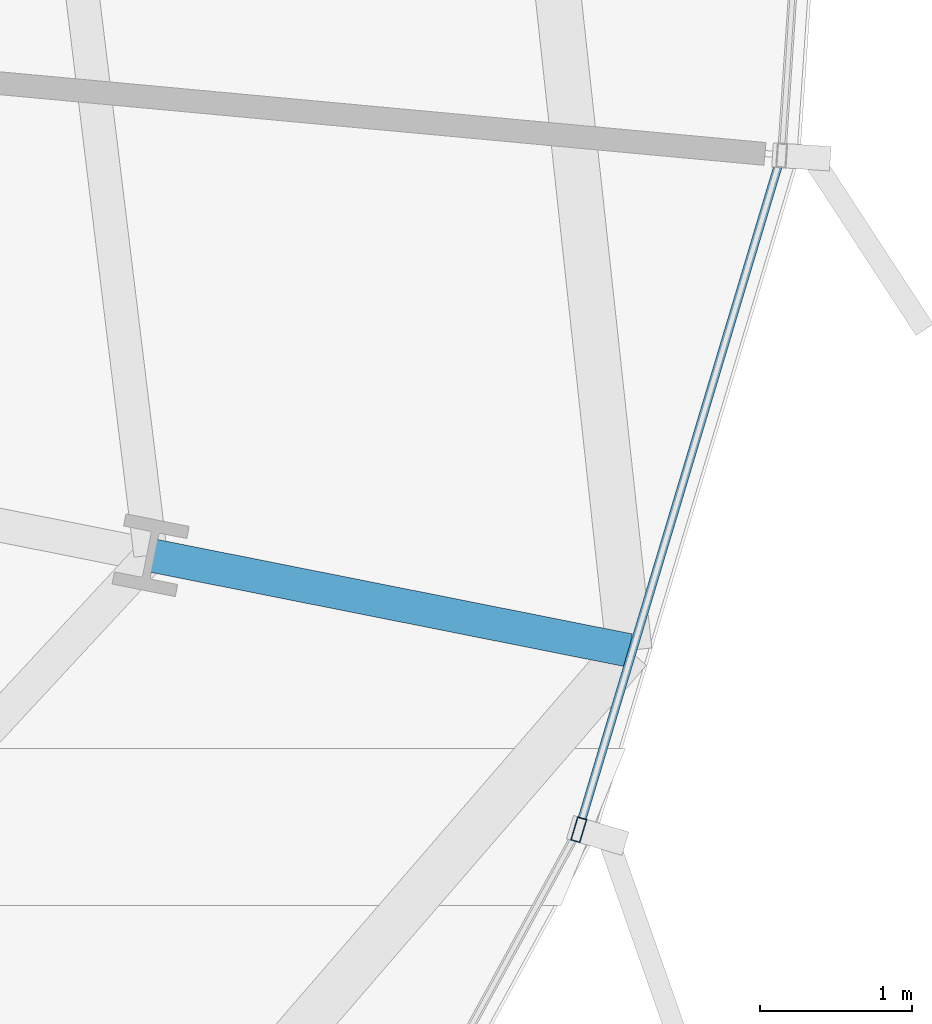
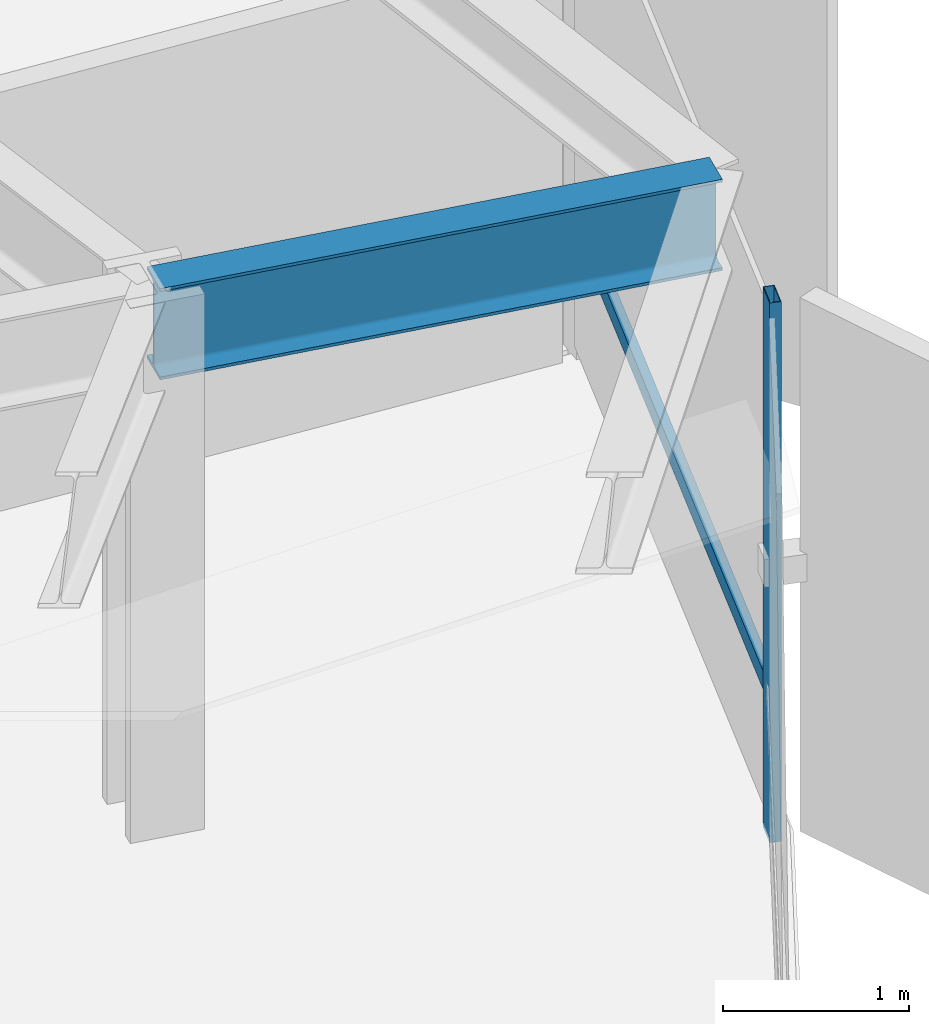
# One storey, part 16 of 39: 2 members, 1 beam, 1 element without a shape of its own.
"""IFC4 building model written with IfcOpenShell, lengths in metres."""

from ifc_helpers import new_model, si_unit, direction, frame, origin, origin_2d, place, context, subcontext, project, spatial, hollow_rectangle, i_section, extrude, source, transform, mapped, material, layer, layer_set, material_profile, profile_set, type_object, element, aggregate, save


model = new_model("IFC4")

# Units and contexts
model_context = context("Model", 3, precision=1e-05, world=origin(), true_north=direction((0.0, 1.0)))
body_context = subcontext(model_context, "Body", "Model", "MODEL_VIEW")
ifc_project = project(units=[si_unit("LENGTHUNIT", "METRE"), si_unit("AREAUNIT", "SQUARE_METRE"), si_unit("VOLUMEUNIT", "CUBIC_METRE"), si_unit("PLANEANGLEUNIT", "RADIAN"), si_unit("MASSUNIT", "GRAM", prefix="KILO"), si_unit("THERMODYNAMICTEMPERATUREUNIT", "KELVIN")], contexts=[model_context])

# Site, building, storey
site_placement = place(None, origin())
site = spatial("IfcSite", under=ifc_project, at=site_placement, CompositionType="ELEMENT")
building_placement = place(site_placement, origin())
building = spatial("IfcBuilding", under=site, at=building_placement, Name="Kethvar Cultural Tower", CompositionType="ELEMENT")
storey_placement = place(building_placement, frame((0.0, 0.0, 41.0)))
storey = spatial("IfcBuildingStorey", under=building, at=storey_placement, Name="L09", CompositionType="ELEMENT", Elevation=41.0)

# Beam
ifc_material_1 = material(Name="Steel S355J2", Category="steel")
ifc_material_profile_1 = material_profile(ifc_material_1, i_section(OverallWidth=0.219970703125, OverallDepth=0.60009765625, WebThickness=0.011962890625, FlangeThickness=0.01904296875, FilletRadius=0.02392578125, at=origin_2d()), Name="Steel S355J2 — IPE600")
ifc_profile_set_1 = profile_set([ifc_material_profile_1], Name="Steel S355J2 — IPE600")
beam_type = type_object("IfcBeamType", Name="BM-IPE600", PredefinedType="BEAM", material=ifc_profile_set_1)
shared_shape_1 = source(origin(), body_context, "Body", "SweptSolid", [
    extrude(i_section(OverallWidth=0.219970703125, OverallDepth=0.60009765625, WebThickness=0.011962890625, FlangeThickness=0.01904296875, FilletRadius=0.02392578125, at=origin_2d()), origin(), (0.0, 0.0, 1.0), 3.199951171875),
])
beam_placement = place(storey_placement, frame((74.9912109375, 22.1923828125, 3.248046875), z_axis=(0.980785550224, -0.195088965533, 0.0), x_axis=(0.195088965533, 0.980785550224, 0.0)))
element("IfcBeam", 1, at=beam_placement, inside=storey, type_object=beam_type, Name="L09 Perimeter Cantilever Beam RC-16", PredefinedType="BEAM", context=body_context, shape_type="MappedRepresentation", body=[
    mapped(shared_shape_1, transform((0.0, 0.0, 0.0), scale=1.0)),
])

# Curtain wall, members
ifc_material_2 = material(Name="Aluminium 6063-T6", Category="aluminium")
ifc_layer = layer(ifc_material_2, 0.179931640625, Name="Aluminium 6063-T6", Category="aluminium")
ifc_layer_set = layer_set([ifc_layer], Name="Aluminium 6063-T6 (180 mm)")
curtain_wall_type = type_object("IfcCurtainWallType", Name="CW-SYS-02-Z1", PredefinedType="NOTDEFINED", material=ifc_layer_set)
curtain_wall_placement = place(storey_placement, origin())
curtain_wall = element("IfcCurtainWall", 2, at=curtain_wall_placement, inside=storey, type_object=curtain_wall_type, Name="L09 Curtain Wall Run 06", PredefinedType="NOTDEFINED")
ifc_material_profile_2 = material_profile(ifc_material_2, hollow_rectangle(XDim=0.06494140625, YDim=0.159912109375, WallThickness=0.0048828125, at=origin_2d()), Name="Aluminium 6063-T6 — RHS160x65x5")
ifc_profile_set_2 = profile_set([ifc_material_profile_2], Name="Aluminium 6063-T6 — RHS160x65x5")
member_type_1 = type_object("IfcMemberType", Name="CW-SYS-02-Z1-MUL", PredefinedType="MULLION", material=ifc_profile_set_2)
shared_shape_2 = source(origin(), body_context, "Body", "SweptSolid", [
    extrude(hollow_rectangle(XDim=0.06494140625, YDim=0.159912109375, WallThickness=0.0048828125, at=origin_2d()), origin(), (0.0, 0.0, 1.0), 3.550048828125),
])
member_1_placement = place(storey_placement, frame((77.799560546875, 20.391357421875, 0.0), z_axis=(0.0, 0.0, 1.0), x_axis=(-0.957762289192, 0.28756111942, 0.0)))
member_1 = element("IfcMember", 3, at=member_1_placement, type_object=member_type_1, Name="CW-L09-R06 Mullion 5", PredefinedType="MULLION", context=body_context, shape_type="MappedRepresentation", body=[
    mapped(shared_shape_2, transform((0.0, 0.0, 0.0), scale=1.0)),
])
ifc_material_profile_3 = material_profile(ifc_material_2, hollow_rectangle(XDim=0.054931640625, YDim=0.1201171875, WallThickness=0.00390625, at=origin_2d()), Name="Aluminium 6063-T6 — RHS120x55x4")
ifc_profile_set_3 = profile_set([ifc_material_profile_3], Name="Aluminium 6063-T6 — RHS120x55x4")
member_type_2 = type_object("IfcMemberType", Name="CW-SYS-02-Z1-TRN", PredefinedType="USERDEFINED", material=ifc_profile_set_3)
shared_shape_3 = source(origin(), body_context, "Body", "SweptSolid", [
    extrude(hollow_rectangle(XDim=0.054931640625, YDim=0.1201171875, WallThickness=0.00390625, at=origin_2d()), origin(), (0.0, 0.0, 1.0), 4.552001953125),
])
member_2_placement = place(storey_placement, frame((77.81298828125, 20.43603515625, 0.949951171875), z_axis=(0.287525016244, 0.957773128164, 0.0), x_axis=(-0.957773128164, 0.287525016244, 0.0)))
member_2 = element("IfcMember", 4, at=member_2_placement, type_object=member_type_2, Name="CW-L09-R06 Transom 5", ObjectType="TRANSOM", PredefinedType="USERDEFINED", context=body_context, shape_type="MappedRepresentation", body=[
    mapped(shared_shape_3, transform((0.0, 0.0, 0.0), scale=1.0)),
])
aggregate(curtain_wall, [member_1, member_2])

save(model, "model.ifc")
